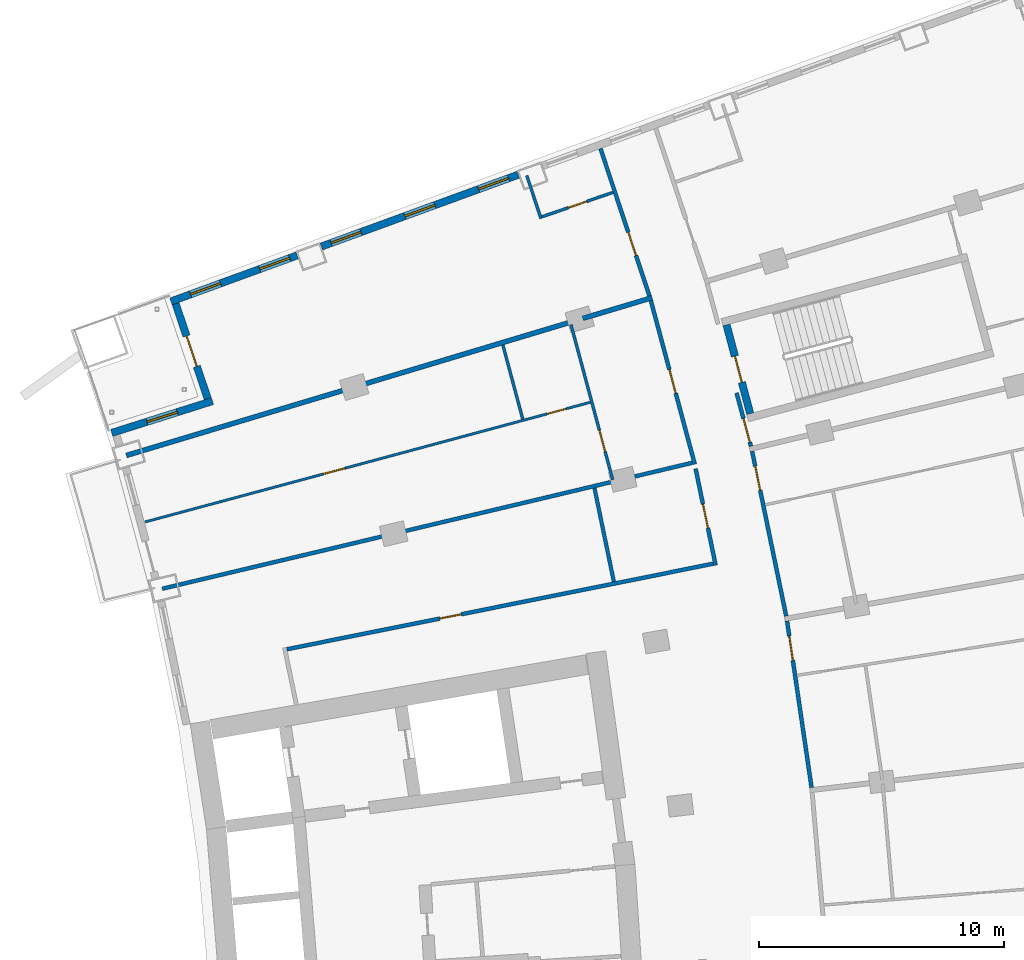
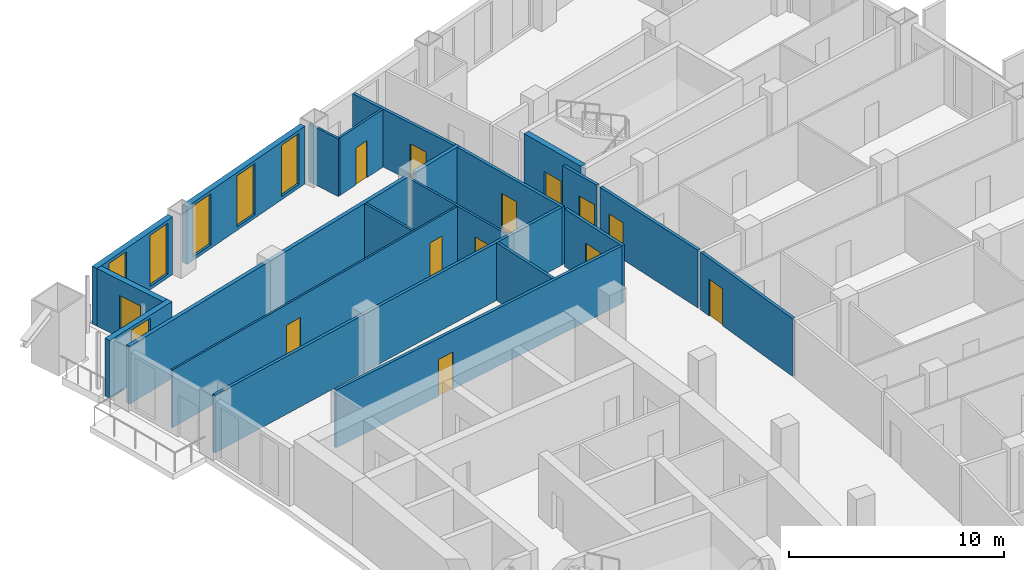
# One storey, part 19 of 25: 21 walls, 13 doors, 6 windows, 19 openings.
"""IFC4 building model written with IfcOpenShell, lengths in metres."""

from ifc_helpers import new_model, si_unit, direction, frame, frame_2d, origin, place, context, subcontext, project, spatial, rectangle, extrude, material, layer, layer_set, type_object, element, fill, save


model = new_model("IFC4")

# Units and contexts
model_context = context("Model", 3, precision=1e-05, world=origin(), true_north=direction((0.0, 1.0)))
body_context = subcontext(model_context, "Body", "Model", "MODEL_VIEW")
ifc_project = project(units=[si_unit("LENGTHUNIT", "METRE"), si_unit("AREAUNIT", "SQUARE_METRE"), si_unit("VOLUMEUNIT", "CUBIC_METRE"), si_unit("PLANEANGLEUNIT", "RADIAN"), si_unit("MASSUNIT", "GRAM", prefix="KILO")], contexts=[model_context])

# Site, building, storey
site_placement = place(None, origin())
site = spatial("IfcSite", under=ifc_project, at=site_placement, CompositionType="ELEMENT")
building_placement = place(site_placement, origin())
building = spatial("IfcBuilding", under=site, at=building_placement, Name="Alderwake Tower", CompositionType="ELEMENT")
storey_placement = place(building_placement, frame((0.0, 0.0, 118.39990234375)))
storey = spatial("IfcBuildingStorey", under=building, at=storey_placement, Name="L29", CompositionType="ELEMENT", Elevation=118.39990234375)

# Wall, opening, door
ifc_material_1 = material(Name="Concrete C70/85", Category="concrete")
ifc_layer_1 = layer(ifc_material_1, 0.300048828125)
ifc_layer_set_1 = layer_set([ifc_layer_1], Name="Core wall stair enclosure 300 C70-85")
wall_type_1 = type_object("IfcWallType", Name="Core wall stair enclosure 300 C70-85", PredefinedType="SHEAR", material=ifc_layer_set_1)
wall_1_placement = place(storey_placement, frame((37.8603515625, 90.452392578125, 0.0), z_axis=(0.0, 0.0, 1.0), x_axis=(-0.257411420208, 0.966301899381, 0.0)))
wall_1 = element("IfcWall", 1, at=wall_1_placement, inside=storey, type_object=wall_type_1, Name="Core wall CW.083", PredefinedType="SHEAR", context=body_context, shape_type="SweptSolid", body=[
    extrude(rectangle(XDim=3.750244140625, YDim=0.300048828125, at=frame_2d((1.875, 0.0))), origin(), (0.0, 0.0, 1.0), 3.60009765625),
])
opening_1_placement = place(wall_1_placement, frame((1.324951171875, 0.0, 0.0)))
opening_1 = element("IfcOpeningElement", 2, at=opening_1_placement, cuts=wall_1, Name="Opening C062", PredefinedType="OPENING", context=body_context, shape_type="SweptSolid", body=[
    extrude(rectangle(XDim=1.10009765625, YDim=2.10009765625, at=frame_2d((0.550048828125, 1.050048828125))), frame((0.0, 0.159912109375, 0.0), z_axis=(0.0, -1.0, 0.0), x_axis=(1.0, 0.0, 0.0)), (0.0, 0.0, 1.0), 0.320068359375),
])
ifc_material_2 = material(Name="Steel-framed fire door leaf", Category="steel")
door_type_1 = type_object("IfcDoorType", Name="Core stair door 1100 fire-rated", OperationType="SINGLE_SWING_LEFT", PredefinedType="DOOR", material=ifc_material_2)
door_1_placement = place(opening_1_placement, origin())
door_1 = element("IfcDoor", 3, at=door_1_placement, inside=storey, type_object=door_type_1, Name="Stair door", OperationType="SINGLE_SWING_LEFT", OverallHeight=2.10009765625, OverallWidth=1.10009765625, PredefinedType="DOOR", context=body_context, shape_type="SweptSolid", body=[
    extrude(rectangle(XDim=1.10009765625, YDim=2.10009765625, at=frame_2d((0.550048828125, 1.050048828125))), frame((0.0, 0.02490234375, 0.0), z_axis=(0.0, -1.0, 0.0), x_axis=(1.0, 0.0, 0.0)), (0.0, 0.0, 1.0), 0.050048828125),
])
fill(opening_1, door_1)

ifc_material_3 = material(Name="Gypsum board on metal studs, rated")
ifc_layer_2 = layer(ifc_material_3, 0.159912109375)
ifc_layer_set_2 = layer_set([ifc_layer_2], Name="Corridor wall 160")
wall_type_2 = type_object("IfcWallType", Name="Corridor wall 160", PredefinedType="PARTITIONING", material=ifc_layer_set_2)
wall_2_placement = place(storey_placement, frame((33.75146484375, 95.2548828125, 0.0), z_axis=(0.0, 0.0, 1.0), x_axis=(-0.315406156735, 0.948956772616, 0.0)))
wall_2 = element("IfcWall", 4, at=wall_2_placement, inside=storey, type_object=wall_type_2, Name="WL/L29/W20", PredefinedType="PARTITIONING", context=body_context, shape_type="SweptSolid", body=[
    extrude(rectangle(XDim=6.330078125, YDim=0.159912109375, at=frame_2d((3.1650390625, 0.0))), origin(), (0.0, 0.0, 1.0), 3.280029296875),
])
opening_2_placement = place(wall_2_placement, frame((1.737060546875, 0.0, 0.0)))
opening_2 = element("IfcOpeningElement", 5, at=opening_2_placement, cuts=wall_2, Name="Opening R08-U14.1", PredefinedType="OPENING", context=body_context, shape_type="SweptSolid", body=[
    extrude(rectangle(XDim=1.0, YDim=2.10009765625, at=frame_2d((0.5, 1.050048828125))), frame((0.0, 0.08984375, 0.0), z_axis=(0.0, -1.0, 0.0), x_axis=(1.0, 0.0, 0.0)), (0.0, 0.0, 1.0), 0.179931640625),
])
ifc_material_4 = material(Name="Solid timber leaf in steel frame", Category="steel")
door_type_2 = type_object("IfcDoorType", Name="Flat entrance door 1000 fire-rated", OperationType="SINGLE_SWING_LEFT", PredefinedType="DOOR", material=ifc_material_4)
door_2_placement = place(opening_2_placement, origin())
door_2 = element("IfcDoor", 6, at=door_2_placement, inside=storey, type_object=door_type_2, Name="DR/L29/U14.1", OperationType="SINGLE_SWING_LEFT", OverallHeight=2.10009765625, OverallWidth=1.0, PredefinedType="DOOR", context=body_context, shape_type="SweptSolid", body=[
    extrude(rectangle(XDim=1.0, YDim=2.10009765625, at=frame_2d((0.5, 1.050048828125))), frame((0.0, 0.02490234375, 0.0), z_axis=(0.0, -1.0, 0.0), x_axis=(1.0, 0.0, 0.0)), (0.0, 0.0, 1.0), 0.050048828125),
])
fill(opening_2, door_2)

wall_3_placement = place(storey_placement, frame((35.600830078125, 88.392578125, 0.0), z_axis=(0.0, 0.0, 1.0), x_axis=(-0.2593979597, 0.965770520622, 0.0)))
wall_3 = element("IfcWall", 7, at=wall_3_placement, inside=storey, type_object=wall_type_2, Name="WL/L29/W22", PredefinedType="PARTITIONING", context=body_context, shape_type="SweptSolid", body=[
    extrude(rectangle(XDim=6.9072265625, YDim=0.159912109375, at=frame_2d((3.45361328125, 0.0))), origin(), (0.0, 0.0, 1.0), 3.280029296875),
])
opening_3_placement = place(wall_3_placement, frame((2.9931640625, 0.0, 0.0)))
opening_3 = element("IfcOpeningElement", 8, at=opening_3_placement, cuts=wall_3, Name="Opening R08-U13.1", PredefinedType="OPENING", context=body_context, shape_type="SweptSolid", body=[
    extrude(rectangle(XDim=1.0, YDim=2.10009765625, at=frame_2d((0.5, 1.050048828125))), frame((0.0, 0.08984375, 0.0), z_axis=(0.0, -1.0, 0.0), x_axis=(1.0, 0.0, 0.0)), (0.0, 0.0, 1.0), 0.179931640625),
])
door_3_placement = place(opening_3_placement, origin())
door_3 = element("IfcDoor", 9, at=door_3_placement, inside=storey, type_object=door_type_2, Name="DR/L29/U13.1", OperationType="SINGLE_SWING_LEFT", OverallHeight=2.10009765625, OverallWidth=1.0, PredefinedType="DOOR", context=body_context, shape_type="SweptSolid", body=[
    extrude(rectangle(XDim=1.0, YDim=2.10009765625, at=frame_2d((0.5, 1.050048828125))), frame((0.0, 0.02490234375, 0.0), z_axis=(0.0, -1.0, 0.0), x_axis=(1.0, 0.0, 0.0)), (0.0, 0.0, 1.0), 0.050048828125),
])
fill(opening_3, door_3)

# Wall
wall_4_placement = place(storey_placement, frame((35.502197265625, 88.451416015625, 0.0), z_axis=(0.0, 0.0, 1.0), x_axis=(-0.972894913244, -0.231247676278, 0.0)))
element("IfcWall", 10, at=wall_4_placement, inside=storey, type_object=wall_type_2, Name="WL/L29/W25", PredefinedType="PARTITIONING", context=body_context, shape_type="SweptSolid", body=[
    extrude(rectangle(XDim=22.220458984375, YDim=0.159912109375, at=frame_2d((11.1103515625, 0.0))), origin(), (0.0, 0.0, 1.0), 3.280029296875),
])

# Wall, opening, door
wall_5_placement = place(storey_placement, frame((36.451416015625, 84.272705078125, 0.0), z_axis=(0.0, 0.0, 1.0), x_axis=(-0.203258199701, 0.979125172924, 0.0)))
wall_5 = element("IfcWall", 11, at=wall_5_placement, inside=storey, type_object=wall_type_2, Name="WL/L29/W26", PredefinedType="PARTITIONING", context=body_context, shape_type="SweptSolid", body=[
    extrude(rectangle(XDim=4.020263671875, YDim=0.159912109375, at=frame_2d((2.01025390625, 0.0))), origin(), (0.0, 0.0, 1.0), 3.280029296875),
])
opening_4_placement = place(wall_5_placement, frame((1.549560546875, 0.0, 0.0)))
opening_4 = element("IfcOpeningElement", 12, at=opening_4_placement, cuts=wall_5, Name="Opening R08-SBN2", PredefinedType="OPENING", context=body_context, shape_type="SweptSolid", body=[
    extrude(rectangle(XDim=1.0, YDim=2.10009765625, at=frame_2d((0.5, 1.050048828125))), frame((0.0, 0.08984375, 0.0), z_axis=(0.0, -1.0, 0.0), x_axis=(1.0, 0.0, 0.0)), (0.0, 0.0, 1.0), 0.179931640625),
])
ifc_material_5 = material(Name="Steel-framed fire door leaf", Category="steel")
door_type_3 = type_object("IfcDoorType", Name="Plant room door 1000 fire-rated", OperationType="SINGLE_SWING_LEFT", PredefinedType="DOOR", material=ifc_material_5)
door_4_placement = place(opening_4_placement, origin())
door_4 = element("IfcDoor", 13, at=door_4_placement, inside=storey, type_object=door_type_3, Name="DR/L29/SBN2", OperationType="SINGLE_SWING_LEFT", OverallHeight=2.10009765625, OverallWidth=1.0, PredefinedType="DOOR", context=body_context, shape_type="SweptSolid", body=[
    extrude(rectangle(XDim=1.0, YDim=2.10009765625, at=frame_2d((0.5, 1.050048828125))), frame((0.0, 0.02490234375, 0.0), z_axis=(0.0, -1.0, 0.0), x_axis=(1.0, 0.0, 0.0)), (0.0, 0.0, 1.0), 0.050048828125),
])
fill(opening_4, door_4)

wall_6_placement = place(storey_placement, frame((18.969482421875, 80.84765625, 0.0), z_axis=(0.0, 0.0, 1.0), x_axis=(0.980470914622, 0.196664144112, 0.0)))
wall_6 = element("IfcWall", 14, at=wall_6_placement, inside=storey, type_object=wall_type_2, Name="WL/L29/W30", PredefinedType="PARTITIONING", context=body_context, shape_type="SweptSolid", body=[
    extrude(rectangle(XDim=17.733642578125, YDim=0.159912109375, at=frame_2d((8.86669921875, 0.0))), origin(), (0.0, 0.0, 1.0), 3.280029296875),
])
opening_5_placement = place(wall_6_placement, frame((6.35693359375, 0.0, 0.0)))
opening_5 = element("IfcOpeningElement", 15, at=opening_5_placement, cuts=wall_6, Name="Opening R08-SBN1", PredefinedType="OPENING", context=body_context, shape_type="SweptSolid", body=[
    extrude(rectangle(XDim=0.89990234375, YDim=2.10009765625, at=frame_2d((0.449951171875, 1.050048828125))), frame((0.0, 0.08984375, 0.0), z_axis=(0.0, -1.0, 0.0), x_axis=(1.0, 0.0, 0.0)), (0.0, 0.0, 1.0), 0.179931640625),
])
ifc_material_6 = material(Name="Painted timber leaf", Category="wood")
door_type_4 = type_object("IfcDoorType", Name="Room door 900", OperationType="SINGLE_SWING_LEFT", PredefinedType="DOOR", material=ifc_material_6)
door_5_placement = place(opening_5_placement, origin())
door_5 = element("IfcDoor", 16, at=door_5_placement, inside=storey, type_object=door_type_4, Name="DR/L29/SBN1", OperationType="SINGLE_SWING_LEFT", OverallHeight=2.10009765625, OverallWidth=0.89990234375, PredefinedType="DOOR", context=body_context, shape_type="SweptSolid", body=[
    extrude(rectangle(XDim=0.89990234375, YDim=2.10009765625, at=frame_2d((0.449951171875, 1.050048828125))), frame((0.0, 0.02490234375, 0.0), z_axis=(0.0, -1.0, 0.0), x_axis=(1.0, 0.0, 0.0)), (0.0, 0.0, 1.0), 0.050048828125),
])
fill(opening_5, door_5)

wall_7_placement = place(storey_placement, frame((37.304931640625, 91.299072265625, 0.0), z_axis=(0.0, 0.0, 1.0), x_axis=(0.259946294884, -0.965623075416, 0.0)))
wall_7 = element("IfcWall", 17, at=wall_7_placement, inside=storey, type_object=wall_type_2, Name="WL/L29/W34", PredefinedType="PARTITIONING", context=body_context, shape_type="SweptSolid", body=[
    extrude(rectangle(XDim=2.255126953125, YDim=0.159912109375, at=frame_2d((1.12744140625, 0.0))), origin(), (0.0, 0.0, 1.0), 3.280029296875),
])
opening_6_placement = place(wall_7_placement, frame((1.083984375, 0.0, 0.0)))
opening_6 = element("IfcOpeningElement", 18, at=opening_6_placement, cuts=wall_7, Name="Opening R08-U02.1", PredefinedType="OPENING", context=body_context, shape_type="SweptSolid", body=[
    extrude(rectangle(XDim=1.0, YDim=2.10009765625, at=frame_2d((0.5, 1.050048828125))), frame((0.0, 0.08984375, 0.0), z_axis=(0.0, -1.0, 0.0), x_axis=(1.0, 0.0, 0.0)), (0.0, 0.0, 1.0), 0.179931640625),
])
door_6_placement = place(opening_6_placement, origin())
door_6 = element("IfcDoor", 19, at=door_6_placement, inside=storey, type_object=door_type_2, Name="DR/L29/U02.1", OperationType="SINGLE_SWING_LEFT", OverallHeight=2.10009765625, OverallWidth=1.0, PredefinedType="DOOR", context=body_context, shape_type="SweptSolid", body=[
    extrude(rectangle(XDim=1.0, YDim=2.10009765625, at=frame_2d((0.5, 1.050048828125))), frame((0.0, 0.02490234375, 0.0), z_axis=(0.0, -1.0, 0.0), x_axis=(1.0, 0.0, 0.0)), (0.0, 0.0, 1.0), 0.050048828125),
])
fill(opening_6, door_6)

wall_8_placement = place(storey_placement, frame((37.937255859375, 88.927001953125, 0.0), z_axis=(0.0, 0.0, 1.0), x_axis=(0.20241288737, -0.979300272147, 0.0)))
wall_8 = element("IfcWall", 20, at=wall_8_placement, inside=storey, type_object=wall_type_2, Name="WL/L29/W36", PredefinedType="PARTITIONING", context=body_context, shape_type="SweptSolid", body=[
    extrude(rectangle(XDim=6.870361328125, YDim=0.159912109375, at=frame_2d((3.43505859375, 0.0))), origin(), (0.0, 0.0, 1.0), 3.280029296875),
])
opening_7_placement = place(wall_8_placement, frame((0.62841796875, 0.0, 0.0)))
opening_7 = element("IfcOpeningElement", 21, at=opening_7_placement, cuts=wall_8, Name="Opening R08-U10.2", PredefinedType="OPENING", context=body_context, shape_type="SweptSolid", body=[
    extrude(rectangle(XDim=1.0, YDim=2.10009765625, at=frame_2d((0.5, 1.050048828125))), frame((0.0, 0.08984375, 0.0), z_axis=(0.0, -1.0, 0.0), x_axis=(1.0, 0.0, 0.0)), (0.0, 0.0, 1.0), 0.179931640625),
])
door_7_placement = place(opening_7_placement, origin())
door_7 = element("IfcDoor", 22, at=door_7_placement, inside=storey, type_object=door_type_2, Name="DR/L29/U10.2", OperationType="SINGLE_SWING_LEFT", OverallHeight=2.10009765625, OverallWidth=1.0, PredefinedType="DOOR", context=body_context, shape_type="SweptSolid", body=[
    extrude(rectangle(XDim=1.0, YDim=2.10009765625, at=frame_2d((0.5, 1.050048828125))), frame((0.0, 0.02490234375, 0.0), z_axis=(0.0, -1.0, 0.0), x_axis=(1.0, 0.0, 0.0)), (0.0, 0.0, 1.0), 0.050048828125),
])
fill(opening_7, door_7)

wall_9_placement = place(storey_placement, frame((39.362548828125, 82.001953125, 0.0), z_axis=(0.0, 0.0, 1.0), x_axis=(0.145565626222, -0.98934859805, 0.0)))
wall_9 = element("IfcWall", 23, at=wall_9_placement, inside=storey, type_object=wall_type_2, Name="WL/L29/W38", PredefinedType="PARTITIONING", context=body_context, shape_type="SweptSolid", body=[
    extrude(rectangle(XDim=6.8681640625, YDim=0.159912109375, at=frame_2d((3.43408203125, 0.0))), origin(), (0.0, 0.0, 1.0), 3.280029296875),
])
opening_8_placement = place(wall_9_placement, frame((0.627685546875, 0.0, 0.0)))
opening_8 = element("IfcOpeningElement", 24, at=opening_8_placement, cuts=wall_9, Name="Opening R08-U09.2", PredefinedType="OPENING", context=body_context, shape_type="SweptSolid", body=[
    extrude(rectangle(XDim=1.0, YDim=2.10009765625, at=frame_2d((0.5, 1.050048828125))), frame((0.0, 0.08984375, 0.0), z_axis=(0.0, -1.0, 0.0), x_axis=(1.0, 0.0, 0.0)), (0.0, 0.0, 1.0), 0.179931640625),
])
door_8_placement = place(opening_8_placement, origin())
door_8 = element("IfcDoor", 25, at=door_8_placement, inside=storey, type_object=door_type_2, Name="DR/L29/U09.2", OperationType="SINGLE_SWING_LEFT", OverallHeight=2.10009765625, OverallWidth=1.0, PredefinedType="DOOR", context=body_context, shape_type="SweptSolid", body=[
    extrude(rectangle(XDim=1.0, YDim=2.10009765625, at=frame_2d((0.5, 1.050048828125))), frame((0.0, 0.02490234375, 0.0), z_axis=(0.0, -1.0, 0.0), x_axis=(1.0, 0.0, 0.0)), (0.0, 0.0, 1.0), 0.050048828125),
])
fill(opening_8, door_8)

# Wall, openings, windows
ifc_material_7 = material(Name="Bronze metal cladding on lightweight framing")
ifc_layer_3 = layer(ifc_material_7, 0.300048828125)
ifc_layer_set_3 = layer_set([ifc_layer_3], Name="External wall EW2 bronze metal cladding")
wall_type_3 = type_object("IfcWallType", Name="External wall EW2 bronze metal cladding", PredefinedType="SOLIDWALL", material=ifc_layer_set_3)
wall_10_placement = place(storey_placement, frame((28.402587890625, 100.197509765625, 0.0), z_axis=(0.0, 0.0, 1.0), x_axis=(-0.939364770023, -0.342919566137, 0.0)))
wall_10 = element("IfcWall", 26, at=wall_10_placement, inside=storey, type_object=wall_type_3, Name="External wall 28", PredefinedType="SOLIDWALL", context=body_context, shape_type="SweptSolid", body=[
    extrude(rectangle(XDim=8.54541015625, YDim=0.300048828125, at=frame_2d((4.272705078125, 0.0))), origin(), (0.0, 0.0, 1.0), 3.280029296875),
])
opening_9_placement = place(wall_10_placement, frame((0.4228515625, 0.0, 0.199951171875)))
opening_9 = element("IfcOpeningElement", 27, at=opening_9_placement, cuts=wall_10, Name="Opening W1", PredefinedType="OPENING", context=body_context, shape_type="SweptSolid", body=[
    extrude(rectangle(XDim=1.300048828125, YDim=2.89990234375, at=frame_2d((0.64990234375, 1.449951171875))), frame((0.0, 0.159912109375, 0.0), z_axis=(0.0, -1.0, 0.0), x_axis=(1.0, 0.0, 0.0)), (0.0, 0.0, 1.0), 0.320068359375),
])
opening_10_placement = place(wall_10_placement, frame((3.622802734375, 0.0, 0.199951171875)))
opening_10 = element("IfcOpeningElement", 28, at=opening_10_placement, cuts=wall_10, Name="Opening W1", PredefinedType="OPENING", context=body_context, shape_type="SweptSolid", body=[
    extrude(rectangle(XDim=1.300048828125, YDim=2.89990234375, at=frame_2d((0.64990234375, 1.449951171875))), frame((0.0, 0.159912109375, 0.0), z_axis=(0.0, -1.0, 0.0), x_axis=(1.0, 0.0, 0.0)), (0.0, 0.0, 1.0), 0.320068359375),
])
opening_11_placement = place(wall_10_placement, frame((6.822998046875, 0.0, 0.199951171875)))
opening_11 = element("IfcOpeningElement", 29, at=opening_11_placement, cuts=wall_10, Name="Opening W1", PredefinedType="OPENING", context=body_context, shape_type="SweptSolid", body=[
    extrude(rectangle(XDim=1.300048828125, YDim=2.89990234375, at=frame_2d((0.64990234375, 1.449951171875))), frame((0.0, 0.159912109375, 0.0), z_axis=(0.0, -1.0, 0.0), x_axis=(1.0, 0.0, 0.0)), (0.0, 0.0, 1.0), 0.320068359375),
])
ifc_material_8 = material(Name="Bronze tinted glass in aluminium frame", Category="aluminium")
window_type = type_object("IfcWindowType", Name="Window W1 tall fixed and vent", PartitioningType="DOUBLE_PANEL_VERTICAL", PredefinedType="WINDOW", material=ifc_material_8)
window_1_placement = place(opening_9_placement, origin())
window_1 = element("IfcWindow", 30, at=window_1_placement, inside=storey, type_object=window_type, Name="Window W1 tall fixed and vent", OverallHeight=2.89990234375, OverallWidth=1.300048828125, PartitioningType="DOUBLE_PANEL_VERTICAL", PredefinedType="WINDOW", context=body_context, shape_type="SweptSolid", body=[
    extrude(rectangle(XDim=1.300048828125, YDim=2.89990234375, at=frame_2d((0.64990234375, 1.449951171875))), frame((0.0, 0.030029296875, 0.0), z_axis=(0.0, -1.0, 0.0), x_axis=(1.0, 0.0, 0.0)), (0.0, 0.0, 1.0), 0.06005859375),
])
fill(opening_9, window_1)
window_2_placement = place(opening_10_placement, origin())
window_2 = element("IfcWindow", 31, at=window_2_placement, inside=storey, type_object=window_type, Name="Window W1 tall fixed and vent", OverallHeight=2.89990234375, OverallWidth=1.300048828125, PartitioningType="DOUBLE_PANEL_VERTICAL", PredefinedType="WINDOW", context=body_context, shape_type="SweptSolid", body=[
    extrude(rectangle(XDim=1.300048828125, YDim=2.89990234375, at=frame_2d((0.64990234375, 1.449951171875))), frame((0.0, 0.030029296875, 0.0), z_axis=(0.0, -1.0, 0.0), x_axis=(1.0, 0.0, 0.0)), (0.0, 0.0, 1.0), 0.06005859375),
])
fill(opening_10, window_2)
window_3_placement = place(opening_11_placement, origin())
window_3 = element("IfcWindow", 32, at=window_3_placement, inside=storey, type_object=window_type, Name="Window W1 tall fixed and vent", OverallHeight=2.89990234375, OverallWidth=1.300048828125, PartitioningType="DOUBLE_PANEL_VERTICAL", PredefinedType="WINDOW", context=body_context, shape_type="SweptSolid", body=[
    extrude(rectangle(XDim=1.300048828125, YDim=2.89990234375, at=frame_2d((0.64990234375, 1.449951171875))), frame((0.0, 0.030029296875, 0.0), z_axis=(0.0, -1.0, 0.0), x_axis=(1.0, 0.0, 0.0)), (0.0, 0.0, 1.0), 0.06005859375),
])
fill(opening_11, window_3)

wall_11_placement = place(storey_placement, frame((19.38427734375, 96.905517578125, 0.0), z_axis=(0.0, 0.0, 1.0), x_axis=(-0.939366897407, -0.342913738506, 0.0)))
wall_11 = element("IfcWall", 33, at=wall_11_placement, inside=storey, type_object=wall_type_3, Name="External wall 29", PredefinedType="SOLIDWALL", context=body_context, shape_type="SweptSolid", body=[
    extrude(rectangle(XDim=5.474365234375, YDim=0.300048828125, at=frame_2d((2.7373046875, 0.0))), origin(), (0.0, 0.0, 1.0), 3.280029296875),
])
opening_12_placement = place(wall_11_placement, frame((0.322998046875, 0.0, 0.199951171875)))
opening_12 = element("IfcOpeningElement", 34, at=opening_12_placement, cuts=wall_11, Name="Opening W1", PredefinedType="OPENING", context=body_context, shape_type="SweptSolid", body=[
    extrude(rectangle(XDim=1.300048828125, YDim=2.89990234375, at=frame_2d((0.64990234375, 1.449951171875))), frame((0.0, 0.159912109375, 0.0), z_axis=(0.0, -1.0, 0.0), x_axis=(1.0, 0.0, 0.0)), (0.0, 0.0, 1.0), 0.320068359375),
])
opening_13_placement = place(wall_11_placement, frame((3.32373046875, 0.0, 0.199951171875)))
opening_13 = element("IfcOpeningElement", 35, at=opening_13_placement, cuts=wall_11, Name="Opening W1", PredefinedType="OPENING", context=body_context, shape_type="SweptSolid", body=[
    extrude(rectangle(XDim=1.300048828125, YDim=2.89990234375, at=frame_2d((0.64990234375, 1.449951171875))), frame((0.0, 0.159912109375, 0.0), z_axis=(0.0, -1.0, 0.0), x_axis=(1.0, 0.0, 0.0)), (0.0, 0.0, 1.0), 0.320068359375),
])
window_4_placement = place(opening_12_placement, origin())
window_4 = element("IfcWindow", 36, at=window_4_placement, inside=storey, type_object=window_type, Name="Window W1 tall fixed and vent", OverallHeight=2.89990234375, OverallWidth=1.300048828125, PartitioningType="DOUBLE_PANEL_VERTICAL", PredefinedType="WINDOW", context=body_context, shape_type="SweptSolid", body=[
    extrude(rectangle(XDim=1.300048828125, YDim=2.89990234375, at=frame_2d((0.64990234375, 1.449951171875))), frame((0.0, 0.030029296875, 0.0), z_axis=(0.0, -1.0, 0.0), x_axis=(1.0, 0.0, 0.0)), (0.0, 0.0, 1.0), 0.06005859375),
])
fill(opening_12, window_4)
window_5_placement = place(opening_13_placement, origin())
window_5 = element("IfcWindow", 37, at=window_5_placement, inside=storey, type_object=window_type, Name="Window W1 tall fixed and vent", OverallHeight=2.89990234375, OverallWidth=1.300048828125, PartitioningType="DOUBLE_PANEL_VERTICAL", PredefinedType="WINDOW", context=body_context, shape_type="SweptSolid", body=[
    extrude(rectangle(XDim=1.300048828125, YDim=2.89990234375, at=frame_2d((0.64990234375, 1.449951171875))), frame((0.0, 0.030029296875, 0.0), z_axis=(0.0, -1.0, 0.0), x_axis=(1.0, 0.0, 0.0)), (0.0, 0.0, 1.0), 0.06005859375),
])
fill(opening_13, window_5)

# Wall, opening, door
wall_12_placement = place(storey_placement, frame((14.430908203125, 94.937744140625, 0.0), z_axis=(0.0, 0.0, 1.0), x_axis=(0.320379458656, -0.947289291859, 0.0)))
wall_12 = element("IfcWall", 38, at=wall_12_placement, inside=storey, type_object=wall_type_3, Name="External wall 30", PredefinedType="SOLIDWALL", context=body_context, shape_type="SweptSolid", body=[
    extrude(rectangle(XDim=4.08984375, YDim=0.300048828125, at=frame_2d((2.044921875, 0.0))), origin(), (0.0, 0.0, 1.0), 3.280029296875),
])
opening_14_placement = place(wall_12_placement, frame((1.39501953125, 0.0, 0.0)))
opening_14 = element("IfcOpeningElement", 39, at=opening_14_placement, cuts=wall_12, Name="Opening D14", PredefinedType="OPENING", context=body_context, shape_type="SweptSolid", body=[
    extrude(rectangle(XDim=1.300048828125, YDim=2.39990234375, at=frame_2d((0.64990234375, 1.199951171875))), frame((0.0, 0.159912109375, 0.0), z_axis=(0.0, -1.0, 0.0), x_axis=(1.0, 0.0, 0.0)), (0.0, 0.0, 1.0), 0.320068359375),
])
ifc_material_9 = material(Name="Bronze tinted glass in aluminium frame", Category="aluminium")
door_type_5 = type_object("IfcDoorType", Name="Balcony door BD sliding", OperationType="SLIDING_TO_LEFT", PredefinedType="DOOR", material=ifc_material_9)
door_9_placement = place(opening_14_placement, origin())
door_9 = element("IfcDoor", 40, at=door_9_placement, inside=storey, type_object=door_type_5, Name="Door D14", OperationType="SLIDING_TO_LEFT", OverallHeight=2.39990234375, OverallWidth=1.300048828125, PredefinedType="DOOR", context=body_context, shape_type="SweptSolid", body=[
    extrude(rectangle(XDim=1.300048828125, YDim=2.39990234375, at=frame_2d((0.64990234375, 1.199951171875))), frame((0.0, 0.02490234375, 0.0), z_axis=(0.0, -1.0, 0.0), x_axis=(1.0, 0.0, 0.0)), (0.0, 0.0, 1.0), 0.050048828125),
])
fill(opening_14, door_9)

# Wall, opening, window
wall_13_placement = place(storey_placement, frame((15.932373046875, 90.966552734375, 0.0), z_axis=(0.0, 0.0, 1.0), x_axis=(-0.953473772386, -0.301475978103, 0.0)))
wall_13 = element("IfcWall", 41, at=wall_13_placement, inside=storey, type_object=wall_type_3, Name="External wall 31", PredefinedType="SOLIDWALL", context=body_context, shape_type="SweptSolid", body=[
    extrude(rectangle(XDim=4.305908203125, YDim=0.300048828125, at=frame_2d((2.15283203125, 0.0))), origin(), (0.0, 0.0, 1.0), 3.280029296875),
])
opening_15_placement = place(wall_13_placement, frame((1.5029296875, 0.0, 0.199951171875)))
opening_15 = element("IfcOpeningElement", 42, at=opening_15_placement, cuts=wall_13, Name="Opening W1", PredefinedType="OPENING", context=body_context, shape_type="SweptSolid", body=[
    extrude(rectangle(XDim=1.300048828125, YDim=2.89990234375, at=frame_2d((0.64990234375, 1.449951171875))), frame((0.0, 0.159912109375, 0.0), z_axis=(0.0, -1.0, 0.0), x_axis=(1.0, 0.0, 0.0)), (0.0, 0.0, 1.0), 0.320068359375),
])
window_6_placement = place(opening_15_placement, origin())
window_6 = element("IfcWindow", 43, at=window_6_placement, inside=storey, type_object=window_type, Name="Window W1 tall fixed and vent", OverallHeight=2.89990234375, OverallWidth=1.300048828125, PartitioningType="DOUBLE_PANEL_VERTICAL", PredefinedType="WINDOW", context=body_context, shape_type="SweptSolid", body=[
    extrude(rectangle(XDim=1.300048828125, YDim=2.89990234375, at=frame_2d((0.64990234375, 1.449951171875))), frame((0.0, 0.030029296875, 0.0), z_axis=(0.0, -1.0, 0.0), x_axis=(1.0, 0.0, 0.0)), (0.0, 0.0, 1.0), 0.06005859375),
])
fill(opening_15, window_6)

# Walls
ifc_material_10 = material(Name="Dense block masonry wall", Category="masonry")
ifc_layer_4 = layer(ifc_material_10, 0.199951171875)
ifc_layer_set_4 = layer_set([ifc_layer_4], Name="Party wall 200")
wall_type_4 = type_object("IfcWallType", Name="Party wall 200", PredefinedType="SOLIDWALL", material=ifc_layer_set_4)
wall_14_placement = place(storey_placement, frame((12.423095703125, 88.7490234375, 0.0), z_axis=(0.0, 0.0, 1.0), x_axis=(0.957792326985, 0.287461055394, 0.0)))
element("IfcWall", 44, at=wall_14_placement, inside=storey, type_object=wall_type_4, Name="WL/L29/W01", PredefinedType="SOLIDWALL", context=body_context, shape_type="SweptSolid", body=[
    extrude(rectangle(XDim=18.999755859375, YDim=0.199951171875, at=frame_2d((9.5, 0.0))), origin(), (0.0, 0.0, 1.0), 3.280029296875),
])
wall_15_placement = place(storey_placement, frame((33.859619140625, 95.182861328125, 0.0), z_axis=(0.0, 0.0, 1.0), x_axis=(-0.957990293796, -0.286800622373, 0.0)))
element("IfcWall", 45, at=wall_15_placement, inside=storey, type_object=wall_type_4, Name="WL/L29/W04", PredefinedType="SOLIDWALL", context=body_context, shape_type="SweptSolid", body=[
    extrude(rectangle(XDim=2.947021484375, YDim=0.199951171875, at=frame_2d((1.4736328125, 0.0))), origin(), (0.0, 0.0, 1.0), 3.280029296875),
])
ifc_material_11 = material(Name="Gypsum shaft wall system, rated")
ifc_layer_5 = layer(ifc_material_11, 0.14990234375)
ifc_layer_set_5 = layer_set([ifc_layer_5], Name="Riser and shaft wall 150")
wall_type_5 = type_object("IfcWallType", Name="Riser and shaft wall 150", PredefinedType="PARTITIONING", material=ifc_layer_set_5)
wall_16_placement = place(storey_placement, frame((32.2998046875, 83.601318359375, 0.0), z_axis=(0.0, 0.0, 1.0), x_axis=(-0.202493797034, 0.979283545334, 0.0)))
element("IfcWall", 46, at=wall_16_placement, inside=storey, type_object=wall_type_5, Name="WL/L29/W15", PredefinedType="PARTITIONING", context=body_context, shape_type="SweptSolid", body=[
    extrude(rectangle(XDim=3.899169921875, YDim=0.14990234375, at=frame_2d((1.94970703125, 0.0))), origin(), (0.0, 0.0, 1.0), 3.280029296875),
])

# Wall, openings, doors
ifc_material_12 = material(Name="Gypsum board on metal studs")
ifc_layer_6 = layer(ifc_material_12, 0.10009765625)
ifc_layer_set_6 = layer_set([ifc_layer_6], Name="Unit partition 100")
wall_type_6 = type_object("IfcWallType", Name="Unit partition 100", PredefinedType="PARTITIONING", material=ifc_layer_set_6)
wall_17_placement = place(storey_placement, frame((13.194091796875, 86.0400390625, 0.0), z_axis=(0.0, 0.0, 1.0), x_axis=(0.965722811098, 0.259575522968, 0.0)))
wall_17 = element("IfcWall", 47, at=wall_17_placement, inside=storey, type_object=wall_type_6, Name="WL/L29/W66", PredefinedType="PARTITIONING", context=body_context, shape_type="SweptSolid", body=[
    extrude(rectangle(XDim=18.7900390625, YDim=0.10009765625, at=frame_2d((9.39501953125, 0.0))), origin(), (0.0, 0.0, 1.0), 3.280029296875),
])
opening_16_placement = place(wall_17_placement, frame((16.971435546875, 0.0, 0.0)))
opening_16 = element("IfcOpeningElement", 48, at=opening_16_placement, cuts=wall_17, Name="Opening R08-U13.3", PredefinedType="OPENING", context=body_context, shape_type="SweptSolid", body=[
    extrude(rectangle(XDim=0.800048828125, YDim=2.10009765625, at=frame_2d((0.39990234375, 1.050048828125))), frame((0.0, 0.06005859375, 0.0), z_axis=(0.0, -1.0, 0.0), x_axis=(1.0, 0.0, 0.0)), (0.0, 0.0, 1.0), 0.1201171875),
])
opening_17_placement = place(wall_17_placement, frame((7.526611328125, 0.0, 0.0)))
opening_17 = element("IfcOpeningElement", 49, at=opening_17_placement, cuts=wall_17, Name="Opening R08-U13.4", PredefinedType="OPENING", context=body_context, shape_type="SweptSolid", body=[
    extrude(rectangle(XDim=0.89990234375, YDim=2.10009765625, at=frame_2d((0.449951171875, 1.050048828125))), frame((0.0, 0.06005859375, 0.0), z_axis=(0.0, -1.0, 0.0), x_axis=(1.0, 0.0, 0.0)), (0.0, 0.0, 1.0), 0.1201171875),
])
ifc_material_13 = material(Name="Painted timber leaf", Category="wood")
door_type_6 = type_object("IfcDoorType", Name="Bathroom door 800", OperationType="SINGLE_SWING_LEFT", PredefinedType="DOOR", material=ifc_material_13)
door_10_placement = place(opening_16_placement, origin())
door_10 = element("IfcDoor", 50, at=door_10_placement, inside=storey, type_object=door_type_6, Name="DR/L29/U13.3", OperationType="SINGLE_SWING_LEFT", OverallHeight=2.10009765625, OverallWidth=0.800048828125, PredefinedType="DOOR", context=body_context, shape_type="SweptSolid", body=[
    extrude(rectangle(XDim=0.800048828125, YDim=2.10009765625, at=frame_2d((0.39990234375, 1.050048828125))), frame((0.0, 0.02490234375, 0.0), z_axis=(0.0, -1.0, 0.0), x_axis=(1.0, 0.0, 0.0)), (0.0, 0.0, 1.0), 0.050048828125),
])
fill(opening_16, door_10)
door_11_placement = place(opening_17_placement, origin())
door_11 = element("IfcDoor", 51, at=door_11_placement, inside=storey, type_object=door_type_4, Name="DR/L29/U13.4", OperationType="SINGLE_SWING_LEFT", OverallHeight=2.10009765625, OverallWidth=0.89990234375, PredefinedType="DOOR", context=body_context, shape_type="SweptSolid", body=[
    extrude(rectangle(XDim=0.89990234375, YDim=2.10009765625, at=frame_2d((0.449951171875, 1.050048828125))), frame((0.0, 0.02490234375, 0.0), z_axis=(0.0, -1.0, 0.0), x_axis=(1.0, 0.0, 0.0)), (0.0, 0.0, 1.0), 0.050048828125),
])
fill(opening_17, door_11)

# Walls
ifc_material_14 = material(Name="Moisture resistant gypsum board on metal studs")
ifc_layer_7 = layer(ifc_material_14, 0.1201171875)
ifc_layer_set_7 = layer_set([ifc_layer_7], Name="Wet room partition 120")
wall_type_7 = type_object("IfcWallType", Name="Wet room partition 120", PredefinedType="PARTITIONING", material=ifc_layer_set_7)
wall_18_placement = place(storey_placement, frame((27.77587890625, 93.25146484375, 0.0), z_axis=(0.0, 0.0, 1.0), x_axis=(0.258890741102, -0.965906612552, 0.0)))
element("IfcWall", 52, at=wall_18_placement, inside=storey, type_object=wall_type_7, Name="WL/L29/W42", PredefinedType="PARTITIONING", context=body_context, shape_type="SweptSolid", body=[
    extrude(rectangle(XDim=3.1298828125, YDim=0.1201171875, at=frame_2d((1.56494140625, 0.0))), origin(), (0.0, 0.0, 1.0), 3.280029296875),
])
wall_19_placement = place(storey_placement, frame((28.7490234375, 100.1640625, 0.0), z_axis=(0.0, 0.0, 1.0), x_axis=(0.314645530733, -0.949209244577, 0.0)))
element("IfcWall", 53, at=wall_19_placement, inside=storey, type_object=wall_type_7, Name="WL/L29/W43", PredefinedType="PARTITIONING", context=body_context, shape_type="SweptSolid", body=[
    extrude(rectangle(XDim=1.85205078125, YDim=0.1201171875, at=frame_2d((0.926025390625, 0.0))), origin(), (0.0, 0.0, 1.0), 3.280029296875),
])

# Wall, opening, door
wall_20_placement = place(storey_placement, frame((29.369873046875, 98.482421875, 0.0), z_axis=(0.0, 0.0, 1.0), x_axis=(0.945919367523, 0.324401834375, 0.0)))
wall_20 = element("IfcWall", 54, at=wall_20_placement, inside=storey, type_object=wall_type_7, Name="WL/L29/W44", PredefinedType="PARTITIONING", context=body_context, shape_type="SweptSolid", body=[
    extrude(rectangle(XDim=3.06005859375, YDim=0.1201171875, at=frame_2d((1.530029296875, 0.0))), origin(), (0.0, 0.0, 1.0), 3.280029296875),
])
opening_18_placement = place(wall_20_placement, frame((1.1298828125, 0.0, 0.0)))
opening_18 = element("IfcOpeningElement", 55, at=opening_18_placement, cuts=wall_20, Name="Opening R08-U14.2", PredefinedType="OPENING", context=body_context, shape_type="SweptSolid", body=[
    extrude(rectangle(XDim=0.800048828125, YDim=2.10009765625, at=frame_2d((0.39990234375, 1.050048828125))), frame((0.0, 0.070068359375, 0.0), z_axis=(0.0, -1.0, 0.0), x_axis=(1.0, 0.0, 0.0)), (0.0, 0.0, 1.0), 0.14013671875),
])
door_12_placement = place(opening_18_placement, origin())
door_12 = element("IfcDoor", 56, at=door_12_placement, inside=storey, type_object=door_type_6, Name="DR/L29/U14.2", OperationType="SINGLE_SWING_LEFT", OverallHeight=2.10009765625, OverallWidth=0.800048828125, PredefinedType="DOOR", context=body_context, shape_type="SweptSolid", body=[
    extrude(rectangle(XDim=0.800048828125, YDim=2.10009765625, at=frame_2d((0.39990234375, 1.050048828125))), frame((0.0, 0.02490234375, 0.0), z_axis=(0.0, -1.0, 0.0), x_axis=(1.0, 0.0, 0.0)), (0.0, 0.0, 1.0), 0.050048828125),
])
fill(opening_18, door_12)

wall_21_placement = place(storey_placement, frame((32.253173828125, 87.76123046875, 0.0), z_axis=(0.0, 0.0, 1.0), x_axis=(-0.259898609198, 0.965635911168, 0.0)))
wall_21 = element("IfcWall", 57, at=wall_21_placement, inside=storey, type_object=wall_type_7, Name="WL/L29/W46", PredefinedType="PARTITIONING", context=body_context, shape_type="SweptSolid", body=[
    extrude(rectangle(XDim=6.54931640625, YDim=0.1201171875, at=frame_2d((3.274658203125, 0.0))), origin(), (0.0, 0.0, 1.0), 3.280029296875),
])
opening_19_placement = place(wall_21_placement, frame((1.1923828125, 0.0, 0.0)))
opening_19 = element("IfcOpeningElement", 58, at=opening_19_placement, cuts=wall_21, Name="Opening R08-U13.2", PredefinedType="OPENING", context=body_context, shape_type="SweptSolid", body=[
    extrude(rectangle(XDim=0.89990234375, YDim=2.10009765625, at=frame_2d((0.449951171875, 1.050048828125))), frame((0.0, 0.070068359375, 0.0), z_axis=(0.0, -1.0, 0.0), x_axis=(1.0, 0.0, 0.0)), (0.0, 0.0, 1.0), 0.14013671875),
])
door_13_placement = place(opening_19_placement, origin())
door_13 = element("IfcDoor", 59, at=door_13_placement, inside=storey, type_object=door_type_4, Name="DR/L29/U13.2", OperationType="SINGLE_SWING_LEFT", OverallHeight=2.10009765625, OverallWidth=0.89990234375, PredefinedType="DOOR", context=body_context, shape_type="SweptSolid", body=[
    extrude(rectangle(XDim=0.89990234375, YDim=2.10009765625, at=frame_2d((0.449951171875, 1.050048828125))), frame((0.0, 0.02490234375, 0.0), z_axis=(0.0, -1.0, 0.0), x_axis=(1.0, 0.0, 0.0)), (0.0, 0.0, 1.0), 0.050048828125),
])
fill(opening_19, door_13)

save(model, "model.ifc")
